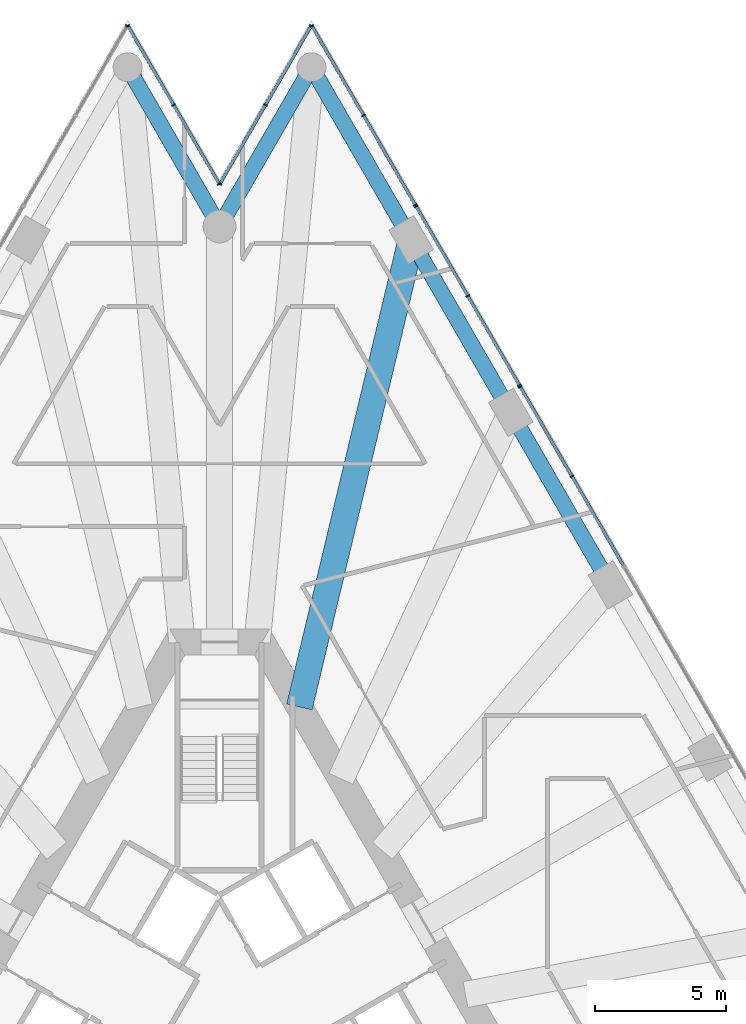
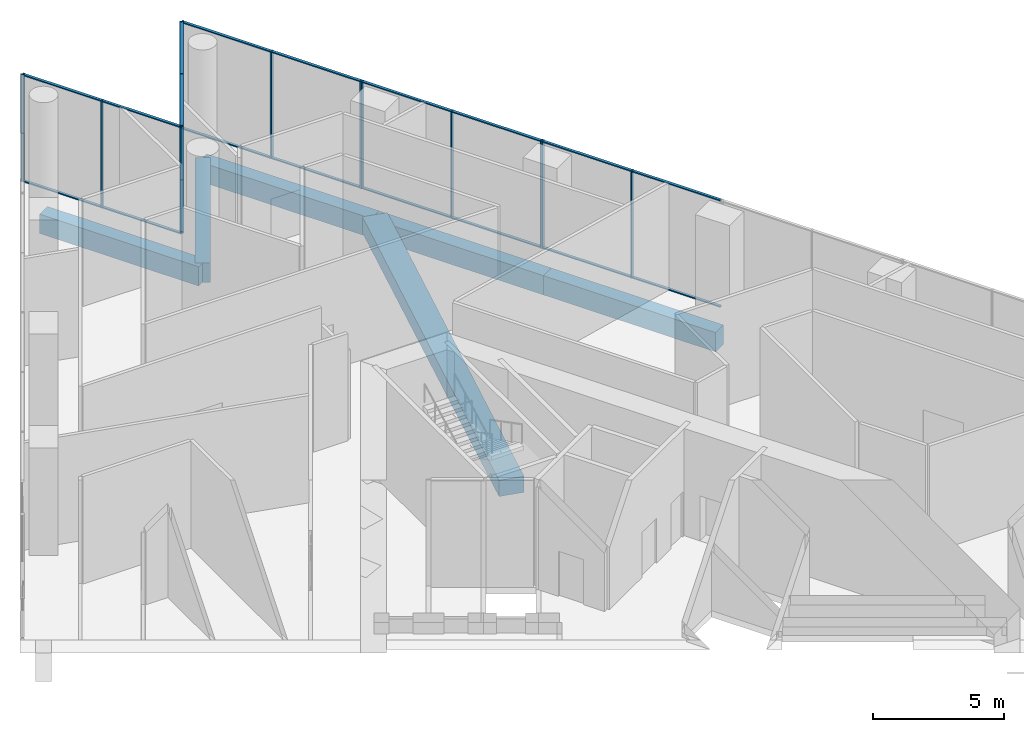
# One storey, part 18 of 32: 35 members, 6 beams, 6 elements without a shape of their own.
"""IFC4 building model written with IfcOpenShell, lengths in metres."""

from ifc_helpers import new_model, si_unit, direction, frame, origin, origin_2d, place, context, subcontext, project, spatial, rectangle, extrude, material, layer, layer_set, material_profile, profile_set, type_object, element, aggregate, save


model = new_model("IFC4")

# Units and contexts
model_context = context("Model", 3, precision=1e-05, world=origin(), true_north=direction((0.0, 1.0)))
body_context = subcontext(model_context, "Body", "Model", "MODEL_VIEW")
ifc_project = project(units=[si_unit("LENGTHUNIT", "METRE"), si_unit("AREAUNIT", "SQUARE_METRE"), si_unit("VOLUMEUNIT", "CUBIC_METRE"), si_unit("PLANEANGLEUNIT", "RADIAN"), si_unit("MASSUNIT", "GRAM", prefix="KILO")], contexts=[model_context])

# Site, building, storey
site_placement = place(None, origin())
site = spatial("IfcSite", under=ifc_project, at=site_placement, CompositionType="ELEMENT")
building_placement = place(site_placement, origin())
building = spatial("IfcBuilding", under=site, at=building_placement, Name="Triada Interchange Tower", CompositionType="ELEMENT")
storey_placement = place(building_placement, frame((0.0, 0.0, 14.5)))
storey = spatial("IfcBuildingStorey", under=building, at=storey_placement, Name="L02", CompositionType="ELEMENT", Elevation=14.5)

# Curtain wall, members
ifc_material_1 = material(Name="Aluminium framed glazing", Category="aluminium")
ifc_layer = layer(ifc_material_1, 0.199951171875)
ifc_layer_set = layer_set([ifc_layer], Name="Curtain wall Retail shopfront")
curtain_wall_type = type_object("IfcCurtainWallType", Name="Curtain wall Retail shopfront", PredefinedType="NOTDEFINED", material=ifc_layer_set)
curtain_wall_1_placement = place(storey_placement, origin())
curtain_wall_1 = element("IfcCurtainWall", 1, at=curtain_wall_1_placement, inside=storey, type_object=curtain_wall_type, Name="Retail shopfront CW018 L02", PredefinedType="NOTDEFINED")
ifc_material_2 = material(Name="Aluminium", Category="aluminium")
ifc_material_profile_1 = material_profile(ifc_material_2, rectangle(XDim=0.14990234375, YDim=0.050048828125, at=origin_2d()), Name="Aluminium mullion")
ifc_profile_set_1 = profile_set([ifc_material_profile_1], Name="Aluminium")
member_type_1 = type_object("IfcMemberType", Name="Mullion Retail shopfront 150x50", PredefinedType="MULLION", material=ifc_profile_set_1)
member_1_placement = place(storey_placement, frame((13.439453125, 21.52197265625, 0.0), z_axis=(0.0, 0.0, 1.0), x_axis=(-0.866055473648, -0.499947913852, 0.0)))
member_1 = element("IfcMember", 2, at=member_1_placement, type_object=member_type_1, Name="CW018 mullion 2", PredefinedType="MULLION", context=body_context, shape_type="SweptSolid", body=[
    extrude(rectangle(XDim=0.14990234375, YDim=0.050048828125, at=origin_2d()), origin(), (0.0, 0.0, 1.0), 5.0),
])
member_2_placement = place(storey_placement, frame((11.468505859375, 24.936279296875, 0.0), z_axis=(0.0, 0.0, 1.0), x_axis=(-0.866055473648, -0.499947913852, 0.0)))
member_2 = element("IfcMember", 3, at=member_2_placement, type_object=member_type_1, Name="CW018 mullion 3", PredefinedType="MULLION", context=body_context, shape_type="SweptSolid", body=[
    extrude(rectangle(XDim=0.14990234375, YDim=0.050048828125, at=origin_2d()), origin(), (0.0, 0.0, 1.0), 5.0),
])

curtain_wall_2_placement = place(storey_placement, origin())
curtain_wall_2 = element("IfcCurtainWall", 4, at=curtain_wall_2_placement, inside=storey, type_object=curtain_wall_type, Name="Retail shopfront CW019 L02", PredefinedType="NOTDEFINED")
member_3_placement = place(storey_placement, frame((11.4375, 24.98876953125, 0.0), z_axis=(0.0, 0.0, 1.0), x_axis=(-0.866055473648, -0.499947913852, 0.0)))
member_3 = element("IfcMember", 5, at=member_3_placement, type_object=member_type_1, Name="CW019 mullion 1", PredefinedType="MULLION", context=body_context, shape_type="SweptSolid", body=[
    extrude(rectangle(XDim=0.14990234375, YDim=0.050048828125, at=origin_2d()), origin(), (0.0, 0.0, 1.0), 5.0),
])
member_4_placement = place(storey_placement, frame((9.466552734375, 28.403076171875, 0.0), z_axis=(0.0, 0.0, 1.0), x_axis=(-0.866055473648, -0.499947913852, 0.0)))
member_4 = element("IfcMember", 6, at=member_4_placement, type_object=member_type_1, Name="CW019 mullion 2", PredefinedType="MULLION", context=body_context, shape_type="SweptSolid", body=[
    extrude(rectangle(XDim=0.14990234375, YDim=0.050048828125, at=origin_2d()), origin(), (0.0, 0.0, 1.0), 5.0),
])
member_5_placement = place(storey_placement, frame((7.49560546875, 31.8173828125, 0.0), z_axis=(0.0, 0.0, 1.0), x_axis=(-0.866055473648, -0.499947913852, 0.0)))
member_5 = element("IfcMember", 7, at=member_5_placement, type_object=member_type_1, Name="CW019 mullion 3", PredefinedType="MULLION", context=body_context, shape_type="SweptSolid", body=[
    extrude(rectangle(XDim=0.14990234375, YDim=0.050048828125, at=origin_2d()), origin(), (0.0, 0.0, 1.0), 5.0),
])

curtain_wall_3_placement = place(storey_placement, origin())
curtain_wall_3 = element("IfcCurtainWall", 8, at=curtain_wall_3_placement, inside=storey, type_object=curtain_wall_type, Name="Retail shopfront CW020 L02", PredefinedType="NOTDEFINED")
member_6_placement = place(storey_placement, frame((7.464599609375, 31.86962890625, 0.0), z_axis=(0.0, 0.0, 1.0), x_axis=(-0.86604927658, -0.499958648825, 0.0)))
member_6 = element("IfcMember", 9, at=member_6_placement, type_object=member_type_1, Name="CW020 mullion 1", PredefinedType="MULLION", context=body_context, shape_type="SweptSolid", body=[
    extrude(rectangle(XDim=0.14990234375, YDim=0.050048828125, at=origin_2d()), origin(), (0.0, 0.0, 1.0), 5.0),
])
member_7_placement = place(storey_placement, frame((5.491943359375, 35.28662109375, 0.0), z_axis=(0.0, 0.0, 1.0), x_axis=(-0.86604927658, -0.499958648825, 0.0)))
member_7 = element("IfcMember", 10, at=member_7_placement, type_object=member_type_1, Name="CW020 mullion 2", PredefinedType="MULLION", context=body_context, shape_type="SweptSolid", body=[
    extrude(rectangle(XDim=0.14990234375, YDim=0.050048828125, at=origin_2d()), origin(), (0.0, 0.0, 1.0), 5.0),
])
member_8_placement = place(storey_placement, frame((3.51953125, 38.703369140625, 0.0), z_axis=(0.0, 0.0, 1.0), x_axis=(-0.86604927658, -0.499958648825, 0.0)))
member_8 = element("IfcMember", 11, at=member_8_placement, type_object=member_type_1, Name="CW020 mullion 3", PredefinedType="MULLION", context=body_context, shape_type="SweptSolid", body=[
    extrude(rectangle(XDim=0.14990234375, YDim=0.050048828125, at=origin_2d()), origin(), (0.0, 0.0, 1.0), 5.0),
])

curtain_wall_4_placement = place(storey_placement, origin())
curtain_wall_4 = element("IfcCurtainWall", 12, at=curtain_wall_4_placement, inside=storey, type_object=curtain_wall_type, Name="Retail shopfront CW021 L02", PredefinedType="NOTDEFINED")
member_9_placement = place(storey_placement, frame((3.494384765625, 38.703369140625, 0.0), z_axis=(0.0, 0.0, 1.0), x_axis=(0.866050272896, -0.499956922962, 0.0)))
member_9 = element("IfcMember", 13, at=member_9_placement, type_object=member_type_1, Name="CW021 mullion 1", PredefinedType="MULLION", context=body_context, shape_type="SweptSolid", body=[
    extrude(rectangle(XDim=0.14990234375, YDim=0.050048828125, at=origin_2d()), origin(), (0.0, 0.0, 1.0), 5.0),
])
member_10_placement = place(storey_placement, frame((1.75341796875, 35.6875, 0.0), z_axis=(0.0, 0.0, 1.0), x_axis=(0.866050272896, -0.499956922962, 0.0)))
member_10 = element("IfcMember", 14, at=member_10_placement, type_object=member_type_1, Name="CW021 mullion 2", PredefinedType="MULLION", context=body_context, shape_type="SweptSolid", body=[
    extrude(rectangle(XDim=0.14990234375, YDim=0.050048828125, at=origin_2d()), origin(), (0.0, 0.0, 1.0), 5.0),
])
member_11_placement = place(storey_placement, frame((0.012451171875, 32.671630859375, 0.0), z_axis=(0.0, 0.0, 1.0), x_axis=(0.866050272896, -0.499956922962, 0.0)))
member_11 = element("IfcMember", 15, at=member_11_placement, type_object=member_type_1, Name="CW021 mullion 3", PredefinedType="MULLION", context=body_context, shape_type="SweptSolid", body=[
    extrude(rectangle(XDim=0.14990234375, YDim=0.050048828125, at=origin_2d()), origin(), (0.0, 0.0, 1.0), 5.0),
])

curtain_wall_5_placement = place(storey_placement, origin())
curtain_wall_5 = element("IfcCurtainWall", 16, at=curtain_wall_5_placement, inside=storey, type_object=curtain_wall_type, Name="Retail shopfront CW022 L02", PredefinedType="NOTDEFINED")
member_12_placement = place(storey_placement, frame((-0.012451171875, 32.671630859375, 0.0), z_axis=(0.0, 0.0, 1.0), x_axis=(-0.866050272896, -0.499956922962, 0.0)))
member_12 = element("IfcMember", 17, at=member_12_placement, type_object=member_type_1, Name="CW022 mullion 1", PredefinedType="MULLION", context=body_context, shape_type="SweptSolid", body=[
    extrude(rectangle(XDim=0.14990234375, YDim=0.050048828125, at=origin_2d()), origin(), (0.0, 0.0, 1.0), 5.0),
])
member_13_placement = place(storey_placement, frame((-1.75341796875, 35.6875, 0.0), z_axis=(0.0, 0.0, 1.0), x_axis=(-0.866050272896, -0.499956922962, 0.0)))
member_13 = element("IfcMember", 18, at=member_13_placement, type_object=member_type_1, Name="CW022 mullion 2", PredefinedType="MULLION", context=body_context, shape_type="SweptSolid", body=[
    extrude(rectangle(XDim=0.14990234375, YDim=0.050048828125, at=origin_2d()), origin(), (0.0, 0.0, 1.0), 5.0),
])
member_14_placement = place(storey_placement, frame((-3.494384765625, 38.703369140625, 0.0), z_axis=(0.0, 0.0, 1.0), x_axis=(-0.866050272896, -0.499956922962, 0.0)))
member_14 = element("IfcMember", 19, at=member_14_placement, type_object=member_type_1, Name="CW022 mullion 3", PredefinedType="MULLION", context=body_context, shape_type="SweptSolid", body=[
    extrude(rectangle(XDim=0.14990234375, YDim=0.050048828125, at=origin_2d()), origin(), (0.0, 0.0, 1.0), 5.0),
])

# Curtain wall, member
curtain_wall_6_placement = place(storey_placement, origin())
curtain_wall_6 = element("IfcCurtainWall", 20, at=curtain_wall_6_placement, inside=storey, type_object=curtain_wall_type, Name="Retail shopfront CW023 L02", PredefinedType="NOTDEFINED")
member_15_placement = place(storey_placement, frame((-3.51953125, 38.703369140625, 0.0), z_axis=(0.0, 0.0, 1.0), x_axis=(0.86604927658, -0.499958648825, 0.0)))
member_15 = element("IfcMember", 21, at=member_15_placement, type_object=member_type_1, Name="CW023 mullion 1", PredefinedType="MULLION", context=body_context, shape_type="SweptSolid", body=[
    extrude(rectangle(XDim=0.14990234375, YDim=0.050048828125, at=origin_2d()), origin(), (0.0, 0.0, 1.0), 5.0),
])
aggregate(curtain_wall_6, [member_15])

# Beams
ifc_material_3 = material(Name="Concrete C50/60", Category="concrete")
ifc_material_profile_2 = material_profile(ifc_material_3, rectangle(XDim=1.0, YDim=0.75, at=origin_2d()), Name="RC 1000x750")
ifc_profile_set_2 = profile_set([ifc_material_profile_2], Name="Concrete C50/60")
beam_type_1 = type_object("IfcBeamType", Name="Radial band beam P RC 1000x750", PredefinedType="BEAM", material=ifc_profile_set_2)
beam_1_placement = place(storey_placement, frame((7.306884765625, 30.5439453125, -0.77490234375), z_axis=(-0.232645559645, -0.972561588578, 0.0), x_axis=(0.972561588578, -0.232645559645, 0.0)))
element("IfcBeam", 22, at=beam_1_placement, inside=storey, type_object=beam_type_1, Name="Radial band beam BP28 L02", PredefinedType="BEAM", context=body_context, shape_type="SweptSolid", body=[
    extrude(rectangle(XDim=1.0, YDim=0.75, at=origin_2d()), origin(), (0.0, 0.0, 1.0), 18.319580078125),
])
ifc_material_profile_3 = material_profile(ifc_material_3, rectangle(XDim=0.60009765625, YDim=0.89990234375, at=origin_2d()), Name="RC 600x900")
ifc_profile_set_3 = profile_set([ifc_material_profile_3], Name="Concrete C50/60")
beam_type_2 = type_object("IfcBeamType", Name="Spandrel beam P RC 600x900", PredefinedType="BEAM", material=ifc_profile_set_3)
beam_2_placement = place(storey_placement, frame((14.906005859375, 17.381103515625, -0.85009765625), z_axis=(-0.500060803479, 0.865990296034, 0.0), x_axis=(-0.865990296034, -0.500060803479, 0.0)))
element("IfcBeam", 23, at=beam_2_placement, inside=storey, type_object=beam_type_2, Name="Spandrel beam EP26 L02", PredefinedType="BEAM", context=body_context, shape_type="SweptSolid", body=[
    extrude(rectangle(XDim=0.60009765625, YDim=0.89990234375, at=origin_2d()), origin(), (0.0, 0.0, 1.0), 7.59912109375),
])
beam_3_placement = place(storey_placement, frame((11.10595703125, 23.9619140625, -0.85009765625), z_axis=(-0.499894869559, 0.866086092366, 0.0), x_axis=(-0.866086092366, -0.499894869559, 0.0)))
element("IfcBeam", 24, at=beam_3_placement, inside=storey, type_object=beam_type_2, Name="Spandrel beam EP27 L02", PredefinedType="BEAM", context=body_context, shape_type="SweptSolid", body=[
    extrude(rectangle(XDim=0.60009765625, YDim=0.89990234375, at=origin_2d()), origin(), (0.0, 0.0, 1.0), 7.599853515625),
])
beam_4_placement = place(storey_placement, frame((7.306884765625, 30.5439453125, -0.85009765625), z_axis=(-0.500022797313, 0.86601224135, 0.0), x_axis=(-0.86601224135, -0.500022797313, 0.0)))
element("IfcBeam", 25, at=beam_4_placement, inside=storey, type_object=beam_type_2, Name="Spandrel beam EP28 L02", PredefinedType="BEAM", context=body_context, shape_type="SweptSolid", body=[
    extrude(rectangle(XDim=0.60009765625, YDim=0.89990234375, at=origin_2d()), origin(), (0.0, 0.0, 1.0), 7.599365234375),
])
for number, where, z_axis, x_axis, name in (
    (26, (3.507080078125, 37.125, -0.85009765625), (-0.49996849935, -0.866043589929, 0.0), (0.866043589929, -0.49996849935, 0.0), "Spandrel beam EP29 L02"),
    (27, (0.0, 31.050048828125, -0.85009765625), (-0.49996849935, 0.866043589929, 0.0), (-0.866043589929, -0.49996849935, 0.0), "Spandrel beam EP30 L02"),
):
    element("IfcBeam", number, at=place(storey_placement, frame(where, z_axis=z_axis, x_axis=x_axis)), inside=storey, type_object=beam_type_2, Name=name, PredefinedType="BEAM", context=body_context, shape_type="SweptSolid", body=[
        extrude(rectangle(XDim=0.60009765625, YDim=0.89990234375, at=origin_2d()), origin(), (0.0, 0.0, 1.0), 7.0146484375),
    ])

# Member
ifc_material_profile_4 = material_profile(ifc_material_2, rectangle(XDim=0.1201171875, YDim=0.050048828125, at=origin_2d()), Name="Aluminium transom")
ifc_profile_set_4 = profile_set([ifc_material_profile_4], Name="Aluminium")
member_type_2 = type_object("IfcMemberType", Name="Transom Retail shopfront 120x50", PredefinedType="USERDEFINED", material=ifc_profile_set_4)
member_16_placement = place(storey_placement, frame((15.39794921875, 18.12939453125, 0.02490234375), z_axis=(-0.499977646359, 0.866038309281, 0.0), x_axis=(-0.866038309281, -0.499977646359, 0.0)))
member_16 = element("IfcMember", 28, at=member_16_placement, type_object=member_type_2, Name="CW018 transom 1.1", ObjectType="TRANSOM", PredefinedType="USERDEFINED", context=body_context, shape_type="SweptSolid", body=[
    extrude(rectangle(XDim=0.1201171875, YDim=0.050048828125, at=origin_2d()), origin(), (0.0, 0.0, 1.0), 3.892333984375),
])

member_17_placement = place(storey_placement, frame((15.39794921875, 18.12939453125, 4.97509765625), z_axis=(-0.499977646359, 0.866038309281, 0.0), x_axis=(-0.866038309281, -0.499977646359, 0.0)))
member_17 = element("IfcMember", 29, at=member_17_placement, type_object=member_type_2, Name="CW018 transom 1.2", ObjectType="TRANSOM", PredefinedType="USERDEFINED", context=body_context, shape_type="SweptSolid", body=[
    extrude(rectangle(XDim=0.1201171875, YDim=0.050048828125, at=origin_2d()), origin(), (0.0, 0.0, 1.0), 3.892333984375),
])

member_18_placement = place(storey_placement, frame((13.427001953125, 21.543701171875, 0.02490234375), z_axis=(-0.499950487857, 0.866053987747, 0.0), x_axis=(-0.866053987747, -0.499950487857, 0.0)))
member_18 = element("IfcMember", 30, at=member_18_placement, type_object=member_type_2, Name="CW018 transom 2.1", ObjectType="TRANSOM", PredefinedType="USERDEFINED", context=body_context, shape_type="SweptSolid", body=[
    extrude(rectangle(XDim=0.1201171875, YDim=0.050048828125, at=origin_2d()), origin(), (0.0, 0.0, 1.0), 3.892578125),
])

member_19_placement = place(storey_placement, frame((13.427001953125, 21.543701171875, 4.97509765625), z_axis=(-0.499950487857, 0.866053987747, 0.0), x_axis=(-0.866053987747, -0.499950487857, 0.0)))
member_19 = element("IfcMember", 31, at=member_19_placement, type_object=member_type_2, Name="CW018 transom 2.2", ObjectType="TRANSOM", PredefinedType="USERDEFINED", context=body_context, shape_type="SweptSolid", body=[
    extrude(rectangle(XDim=0.1201171875, YDim=0.050048828125, at=origin_2d()), origin(), (0.0, 0.0, 1.0), 3.892578125),
])

aggregate(curtain_wall_1, [member_1, member_2, member_16, member_17, member_18, member_19])

member_20_placement = place(storey_placement, frame((11.425048828125, 25.01025390625, 0.02490234375), z_axis=(-0.499950487857, 0.866053987747, 0.0), x_axis=(-0.866053987747, -0.499950487857, 0.0)))
member_20 = element("IfcMember", 32, at=member_20_placement, type_object=member_type_2, Name="CW019 transom 1.1", ObjectType="TRANSOM", PredefinedType="USERDEFINED", context=body_context, shape_type="SweptSolid", body=[
    extrude(rectangle(XDim=0.1201171875, YDim=0.050048828125, at=origin_2d()), origin(), (0.0, 0.0, 1.0), 3.892578125),
])

member_21_placement = place(storey_placement, frame((11.425048828125, 25.01025390625, 4.97509765625), z_axis=(-0.499950487857, 0.866053987747, 0.0), x_axis=(-0.866053987747, -0.499950487857, 0.0)))
member_21 = element("IfcMember", 33, at=member_21_placement, type_object=member_type_2, Name="CW019 transom 1.2", ObjectType="TRANSOM", PredefinedType="USERDEFINED", context=body_context, shape_type="SweptSolid", body=[
    extrude(rectangle(XDim=0.1201171875, YDim=0.050048828125, at=origin_2d()), origin(), (0.0, 0.0, 1.0), 3.892578125),
])

member_22_placement = place(storey_placement, frame((9.4541015625, 28.424560546875, 0.02490234375), z_axis=(-0.499950487857, 0.866053987747, 0.0), x_axis=(-0.866053987747, -0.499950487857, 0.0)))
member_22 = element("IfcMember", 34, at=member_22_placement, type_object=member_type_2, Name="CW019 transom 2.1", ObjectType="TRANSOM", PredefinedType="USERDEFINED", context=body_context, shape_type="SweptSolid", body=[
    extrude(rectangle(XDim=0.1201171875, YDim=0.050048828125, at=origin_2d()), origin(), (0.0, 0.0, 1.0), 3.892578125),
])

member_23_placement = place(storey_placement, frame((9.4541015625, 28.424560546875, 4.97509765625), z_axis=(-0.499950487857, 0.866053987747, 0.0), x_axis=(-0.866053987747, -0.499950487857, 0.0)))
member_23 = element("IfcMember", 35, at=member_23_placement, type_object=member_type_2, Name="CW019 transom 2.2", ObjectType="TRANSOM", PredefinedType="USERDEFINED", context=body_context, shape_type="SweptSolid", body=[
    extrude(rectangle(XDim=0.1201171875, YDim=0.050048828125, at=origin_2d()), origin(), (0.0, 0.0, 1.0), 3.892578125),
])

aggregate(curtain_wall_2, [member_3, member_4, member_5, member_20, member_21, member_22, member_23])

member_24_placement = place(storey_placement, frame((7.451904296875, 31.891357421875, 0.02490234375), z_axis=(-0.499961171201, 0.866047820441, 0.0), x_axis=(-0.866047820441, -0.499961171201, 0.0)))
member_24 = element("IfcMember", 36, at=member_24_placement, type_object=member_type_2, Name="CW020 transom 1.1", ObjectType="TRANSOM", PredefinedType="USERDEFINED", context=body_context, shape_type="SweptSolid", body=[
    extrude(rectangle(XDim=0.1201171875, YDim=0.050048828125, at=origin_2d()), origin(), (0.0, 0.0, 1.0), 3.895263671875),
])

member_25_placement = place(storey_placement, frame((7.451904296875, 31.891357421875, 4.97509765625), z_axis=(-0.499961171201, 0.866047820441, 0.0), x_axis=(-0.866047820441, -0.499961171201, 0.0)))
member_25 = element("IfcMember", 37, at=member_25_placement, type_object=member_type_2, Name="CW020 transom 1.2", ObjectType="TRANSOM", PredefinedType="USERDEFINED", context=body_context, shape_type="SweptSolid", body=[
    extrude(rectangle(XDim=0.1201171875, YDim=0.050048828125, at=origin_2d()), origin(), (0.0, 0.0, 1.0), 3.895263671875),
])

member_26_placement = place(storey_placement, frame((5.4794921875, 35.30810546875, 0.02490234375), z_axis=(-0.499961171201, 0.866047820441, 0.0), x_axis=(-0.866047820441, -0.499961171201, 0.0)))
member_26 = element("IfcMember", 38, at=member_26_placement, type_object=member_type_2, Name="CW020 transom 2.1", ObjectType="TRANSOM", PredefinedType="USERDEFINED", context=body_context, shape_type="SweptSolid", body=[
    extrude(rectangle(XDim=0.1201171875, YDim=0.050048828125, at=origin_2d()), origin(), (0.0, 0.0, 1.0), 3.895263671875),
])

member_27_placement = place(storey_placement, frame((5.4794921875, 35.30810546875, 4.97509765625), z_axis=(-0.499961171201, 0.866047820441, 0.0), x_axis=(-0.866047820441, -0.499961171201, 0.0)))
member_27 = element("IfcMember", 39, at=member_27_placement, type_object=member_type_2, Name="CW020 transom 2.2", ObjectType="TRANSOM", PredefinedType="USERDEFINED", context=body_context, shape_type="SweptSolid", body=[
    extrude(rectangle(XDim=0.1201171875, YDim=0.050048828125, at=origin_2d()), origin(), (0.0, 0.0, 1.0), 3.895263671875),
])

aggregate(curtain_wall_3, [member_6, member_7, member_8, member_24, member_25, member_26, member_27])

member_28_placement = place(storey_placement, frame((3.48193359375, 38.681640625, 0.02490234375), z_axis=(-0.499933868592, -0.866063581404, 0.0), x_axis=(0.866063581404, -0.499933868592, 0.0)))
member_28 = element("IfcMember", 40, at=member_28_placement, type_object=member_type_2, Name="CW021 transom 1.1", ObjectType="TRANSOM", PredefinedType="USERDEFINED", context=body_context, shape_type="SweptSolid", body=[
    extrude(rectangle(XDim=0.1201171875, YDim=0.050048828125, at=origin_2d()), origin(), (0.0, 0.0, 1.0), 3.43212890625),
])

member_29_placement = place(storey_placement, frame((3.48193359375, 38.681640625, 4.97509765625), z_axis=(-0.499933868592, -0.866063581404, 0.0), x_axis=(0.866063581404, -0.499933868592, 0.0)))
member_29 = element("IfcMember", 41, at=member_29_placement, type_object=member_type_2, Name="CW021 transom 1.2", ObjectType="TRANSOM", PredefinedType="USERDEFINED", context=body_context, shape_type="SweptSolid", body=[
    extrude(rectangle(XDim=0.1201171875, YDim=0.050048828125, at=origin_2d()), origin(), (0.0, 0.0, 1.0), 3.43212890625),
])

member_30_placement = place(storey_placement, frame((1.740966796875, 35.665771484375, 0.02490234375), z_axis=(-0.499987221389, -0.866032781393, 0.0), x_axis=(0.866032781393, -0.499987221389, 0.0)))
member_30 = element("IfcMember", 42, at=member_30_placement, type_object=member_type_2, Name="CW021 transom 2.1", ObjectType="TRANSOM", PredefinedType="USERDEFINED", context=body_context, shape_type="SweptSolid", body=[
    extrude(rectangle(XDim=0.1201171875, YDim=0.050048828125, at=origin_2d()), origin(), (0.0, 0.0, 1.0), 3.43212890625),
])

member_31_placement = place(storey_placement, frame((1.740966796875, 35.665771484375, 4.97509765625), z_axis=(-0.499987221389, -0.866032781393, 0.0), x_axis=(0.866032781393, -0.499987221389, 0.0)))
member_31 = element("IfcMember", 43, at=member_31_placement, type_object=member_type_2, Name="CW021 transom 2.2", ObjectType="TRANSOM", PredefinedType="USERDEFINED", context=body_context, shape_type="SweptSolid", body=[
    extrude(rectangle(XDim=0.1201171875, YDim=0.050048828125, at=origin_2d()), origin(), (0.0, 0.0, 1.0), 3.43212890625),
])

aggregate(curtain_wall_4, [member_9, member_10, member_11, member_28, member_29, member_30, member_31])

member_32_placement = place(storey_placement, frame((-0.02490234375, 32.693359375, 0.02490234375), z_axis=(-0.499987221389, 0.866032781393, 0.0), x_axis=(-0.866032781393, -0.499987221389, 0.0)))
member_32 = element("IfcMember", 44, at=member_32_placement, type_object=member_type_2, Name="CW022 transom 1.1", ObjectType="TRANSOM", PredefinedType="USERDEFINED", context=body_context, shape_type="SweptSolid", body=[
    extrude(rectangle(XDim=0.1201171875, YDim=0.050048828125, at=origin_2d()), origin(), (0.0, 0.0, 1.0), 3.43212890625),
])

member_33_placement = place(storey_placement, frame((-0.02490234375, 32.693359375, 4.97509765625), z_axis=(-0.499987221389, 0.866032781393, 0.0), x_axis=(-0.866032781393, -0.499987221389, 0.0)))
member_33 = element("IfcMember", 45, at=member_33_placement, type_object=member_type_2, Name="CW022 transom 1.2", ObjectType="TRANSOM", PredefinedType="USERDEFINED", context=body_context, shape_type="SweptSolid", body=[
    extrude(rectangle(XDim=0.1201171875, YDim=0.050048828125, at=origin_2d()), origin(), (0.0, 0.0, 1.0), 3.43212890625),
])

member_34_placement = place(storey_placement, frame((-1.76611328125, 35.709228515625, 0.02490234375), z_axis=(-0.499933868592, 0.866063581404, 0.0), x_axis=(-0.866063581404, -0.499933868592, 0.0)))
member_34 = element("IfcMember", 46, at=member_34_placement, type_object=member_type_2, Name="CW022 transom 2.1", ObjectType="TRANSOM", PredefinedType="USERDEFINED", context=body_context, shape_type="SweptSolid", body=[
    extrude(rectangle(XDim=0.1201171875, YDim=0.050048828125, at=origin_2d()), origin(), (0.0, 0.0, 1.0), 3.43212890625),
])

member_35_placement = place(storey_placement, frame((-1.76611328125, 35.709228515625, 4.97509765625), z_axis=(-0.499933868592, 0.866063581404, 0.0), x_axis=(-0.866063581404, -0.499933868592, 0.0)))
member_35 = element("IfcMember", 47, at=member_35_placement, type_object=member_type_2, Name="CW022 transom 2.2", ObjectType="TRANSOM", PredefinedType="USERDEFINED", context=body_context, shape_type="SweptSolid", body=[
    extrude(rectangle(XDim=0.1201171875, YDim=0.050048828125, at=origin_2d()), origin(), (0.0, 0.0, 1.0), 3.43212890625),
])

aggregate(curtain_wall_5, [member_12, member_13, member_14, member_32, member_33, member_34, member_35])

save(model, "model.ifc")
